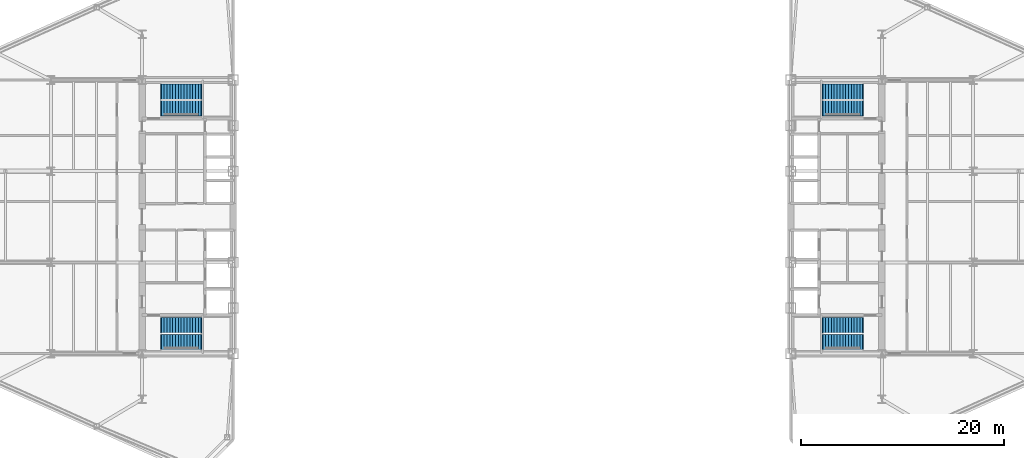
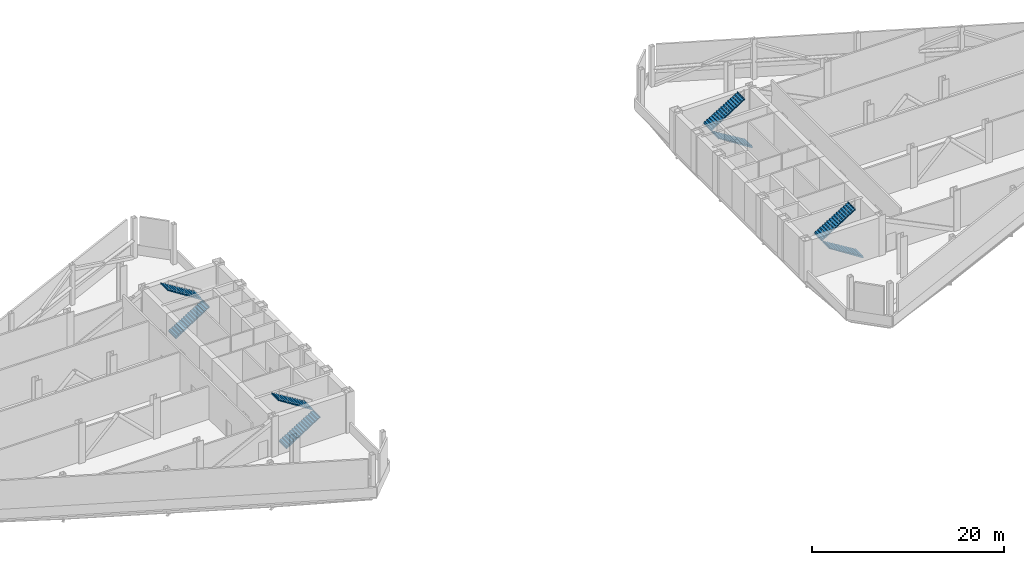
# One storey, part 10 of 11: 8 stair flights, 4 elements without a shape of their own.
"""IFC4 building model written with IfcOpenShell, lengths in metres."""

from ifc_helpers import new_model, si_unit, direction, frame, origin, place, context, subcontext, project, spatial, polyline, outline, extrude, material, type_object, element, aggregate, save


model = new_model("IFC4")

# Units and contexts
model_context = context("Model", 3, precision=1e-05, world=origin(), true_north=direction((0.0, 1.0)))
body_context = subcontext(model_context, "Body", "Model", "MODEL_VIEW")
ifc_project = project(units=[si_unit("LENGTHUNIT", "METRE"), si_unit("AREAUNIT", "SQUARE_METRE"), si_unit("VOLUMEUNIT", "CUBIC_METRE"), si_unit("PLANEANGLEUNIT", "RADIAN"), si_unit("MASSUNIT", "GRAM", prefix="KILO")], contexts=[model_context])

# Site, building, storey
site_placement = place(None, origin())
site = spatial("IfcSite", under=ifc_project, at=site_placement, CompositionType="ELEMENT")
building_placement = place(site_placement, origin())
building = spatial("IfcBuilding", under=site, at=building_placement, Name="Seokmaru Belvedere", CompositionType="ELEMENT")
storey_placement = place(building_placement, frame((0.0, 0.0, 87.300048828125)))
storey = spatial("IfcBuildingStorey", under=building, at=storey_placement, Name="L23", CompositionType="ELEMENT", Elevation=87.300048828125)

# Stair, stair flights
ifc_material = material(Name="Concrete C40 (40 MPa)", Category="concrete")
stair_type = type_object("IfcStairType", Name="Refuge Storey Core Dog-Leg Stair 5100", PredefinedType="TWO_STRAIGHT_RUN_STAIR", material=ifc_material)
stair_1_placement = place(storey_placement, origin())
stair_1 = element("IfcStair", 1, at=stair_1_placement, inside=storey, type_object=stair_type, Name="L23 Special Escape Stair ST-W1", PredefinedType="TWO_STRAIGHT_RUN_STAIR")
stair_flight_type = type_object("IfcStairFlightType", Name="Reinforced Concrete Stair Flight 1500", PredefinedType="STRAIGHT", material=ifc_material)
stair_flight_1_placement = place(storey_placement, frame((-34.60009765625, -12.35009765625, 0.0), z_axis=(0.0, 0.0, 1.0), x_axis=(1.0, 0.0, 0.0)))
stair_flight_1 = element("IfcStairFlight", 2, at=stair_flight_1_placement, type_object=stair_flight_type, Name="ST-W1 flight 1", NumberOfRisers=15, NumberOfTreads=14, PredefinedType="STRAIGHT", RiserHeight=0.17, TreadLength=0.28, context=body_context, shape_type="SweptSolid", body=[
    extrude(outline(polyline([(-0.080078125, 0.0), (0.0, 0.169921875), (0.280029296875, 0.169921875), (0.280029296875, 0.340087890625), (0.56005859375, 0.340087890625), (0.56005859375, 0.510009765625), (0.840087890625, 0.510009765625), (0.840087890625, 0.679931640625), (1.1201171875, 0.679931640625), (1.1201171875, 0.85009765625), (1.39990234375, 0.85009765625), (1.39990234375, 1.02001953125), (1.679931640625, 1.02001953125), (1.679931640625, 1.18994140625), (1.9599609375, 1.18994140625), (1.9599609375, 1.360107421875), (2.239990234375, 1.360107421875), (2.239990234375, 1.530029296875), (2.52001953125, 1.530029296875), (2.52001953125, 1.699951171875), (2.800048828125, 1.699951171875), (2.800048828125, 1.8701171875), (3.080078125, 1.8701171875), (3.080078125, 2.0400390625), (3.360107421875, 2.0400390625), (3.360107421875, 2.2099609375), (3.639892578125, 2.2099609375), (3.639892578125, 2.3798828125), (3.919921875, 2.3798828125), (3.919921875, 2.550048828125), (4.0, 2.550048828125), (4.0, 2.360107421875), (3.919921875, 2.360107421875), (0.0, -0.159912109375), (-0.080078125, -0.159912109375), (-0.080078125, 0.0)])), frame((0.0, 0.75, 0.0), z_axis=(0.0, -1.0, 0.0), x_axis=(1.0, 0.0, 0.0)), (0.0, 0.0, 1.0), 1.5),
])
stair_flight_2_placement = place(storey_placement, frame((-30.679931640625, -10.7099609375, 2.550048828125), z_axis=(0.0, 0.0, 1.0), x_axis=(-1.0, 0.0, 0.0)))
stair_flight_2 = element("IfcStairFlight", 3, at=stair_flight_2_placement, type_object=stair_flight_type, Name="ST-W1 flight 2", NumberOfRisers=15, NumberOfTreads=14, PredefinedType="STRAIGHT", RiserHeight=0.17, TreadLength=0.28, context=body_context, shape_type="SweptSolid", body=[
    extrude(outline(polyline([(-0.080078125, 0.0), (0.0, 0.169921875), (0.280029296875, 0.169921875), (0.280029296875, 0.340087890625), (0.56005859375, 0.340087890625), (0.56005859375, 0.510009765625), (0.840087890625, 0.510009765625), (0.840087890625, 0.679931640625), (1.1201171875, 0.679931640625), (1.1201171875, 0.85009765625), (1.39990234375, 0.85009765625), (1.39990234375, 1.02001953125), (1.679931640625, 1.02001953125), (1.679931640625, 1.18994140625), (1.9599609375, 1.18994140625), (1.9599609375, 1.360107421875), (2.239990234375, 1.360107421875), (2.239990234375, 1.530029296875), (2.52001953125, 1.530029296875), (2.52001953125, 1.699951171875), (2.800048828125, 1.699951171875), (2.800048828125, 1.8701171875), (3.080078125, 1.8701171875), (3.080078125, 2.0400390625), (3.360107421875, 2.0400390625), (3.360107421875, 2.2099609375), (3.639892578125, 2.2099609375), (3.639892578125, 2.3798828125), (3.919921875, 2.3798828125), (3.919921875, 2.550048828125), (4.0, 2.550048828125), (4.0, 2.360107421875), (3.919921875, 2.360107421875), (0.0, -0.159912109375), (-0.080078125, -0.159912109375), (-0.080078125, 0.0)])), frame((0.0, 0.75, 0.0), z_axis=(0.0, -1.0, 0.0), x_axis=(1.0, 0.0, 0.0)), (0.0, 0.0, 1.0), 1.5),
])
aggregate(stair_1, [stair_flight_1, stair_flight_2])

stair_2_placement = place(storey_placement, origin())
stair_2 = element("IfcStair", 4, at=stair_2_placement, inside=storey, type_object=stair_type, Name="L23 Special Escape Stair ST-W2", PredefinedType="TWO_STRAIGHT_RUN_STAIR")
stair_flight_3_placement = place(storey_placement, frame((-34.60009765625, 10.7099609375, 0.0), z_axis=(0.0, 0.0, 1.0), x_axis=(1.0, 0.0, 0.0)))
stair_flight_3 = element("IfcStairFlight", 5, at=stair_flight_3_placement, type_object=stair_flight_type, Name="ST-W2 flight 1", NumberOfRisers=15, NumberOfTreads=14, PredefinedType="STRAIGHT", RiserHeight=0.17, TreadLength=0.28, context=body_context, shape_type="SweptSolid", body=[
    extrude(outline(polyline([(-0.080078125, 0.0), (0.0, 0.169921875), (0.280029296875, 0.169921875), (0.280029296875, 0.340087890625), (0.56005859375, 0.340087890625), (0.56005859375, 0.510009765625), (0.840087890625, 0.510009765625), (0.840087890625, 0.679931640625), (1.1201171875, 0.679931640625), (1.1201171875, 0.85009765625), (1.39990234375, 0.85009765625), (1.39990234375, 1.02001953125), (1.679931640625, 1.02001953125), (1.679931640625, 1.18994140625), (1.9599609375, 1.18994140625), (1.9599609375, 1.360107421875), (2.239990234375, 1.360107421875), (2.239990234375, 1.530029296875), (2.52001953125, 1.530029296875), (2.52001953125, 1.699951171875), (2.800048828125, 1.699951171875), (2.800048828125, 1.8701171875), (3.080078125, 1.8701171875), (3.080078125, 2.0400390625), (3.360107421875, 2.0400390625), (3.360107421875, 2.2099609375), (3.639892578125, 2.2099609375), (3.639892578125, 2.3798828125), (3.919921875, 2.3798828125), (3.919921875, 2.550048828125), (4.0, 2.550048828125), (4.0, 2.360107421875), (3.919921875, 2.360107421875), (0.0, -0.159912109375), (-0.080078125, -0.159912109375), (-0.080078125, 0.0)])), frame((0.0, 0.75, 0.0), z_axis=(0.0, -1.0, 0.0), x_axis=(1.0, 0.0, 0.0)), (0.0, 0.0, 1.0), 1.5),
])
stair_flight_4_placement = place(storey_placement, frame((-30.679931640625, 12.35009765625, 2.550048828125), z_axis=(0.0, 0.0, 1.0), x_axis=(-1.0, 0.0, 0.0)))
stair_flight_4 = element("IfcStairFlight", 6, at=stair_flight_4_placement, type_object=stair_flight_type, Name="ST-W2 flight 2", NumberOfRisers=15, NumberOfTreads=14, PredefinedType="STRAIGHT", RiserHeight=0.17, TreadLength=0.28, context=body_context, shape_type="SweptSolid", body=[
    extrude(outline(polyline([(-0.080078125, 0.0), (0.0, 0.169921875), (0.280029296875, 0.169921875), (0.280029296875, 0.340087890625), (0.56005859375, 0.340087890625), (0.56005859375, 0.510009765625), (0.840087890625, 0.510009765625), (0.840087890625, 0.679931640625), (1.1201171875, 0.679931640625), (1.1201171875, 0.85009765625), (1.39990234375, 0.85009765625), (1.39990234375, 1.02001953125), (1.679931640625, 1.02001953125), (1.679931640625, 1.18994140625), (1.9599609375, 1.18994140625), (1.9599609375, 1.360107421875), (2.239990234375, 1.360107421875), (2.239990234375, 1.530029296875), (2.52001953125, 1.530029296875), (2.52001953125, 1.699951171875), (2.800048828125, 1.699951171875), (2.800048828125, 1.8701171875), (3.080078125, 1.8701171875), (3.080078125, 2.0400390625), (3.360107421875, 2.0400390625), (3.360107421875, 2.2099609375), (3.639892578125, 2.2099609375), (3.639892578125, 2.3798828125), (3.919921875, 2.3798828125), (3.919921875, 2.550048828125), (4.0, 2.550048828125), (4.0, 2.360107421875), (3.919921875, 2.360107421875), (0.0, -0.159912109375), (-0.080078125, -0.159912109375), (-0.080078125, 0.0)])), frame((0.0, 0.75, 0.0), z_axis=(0.0, -1.0, 0.0), x_axis=(1.0, 0.0, 0.0)), (0.0, 0.0, 1.0), 1.5),
])
aggregate(stair_2, [stair_flight_3, stair_flight_4])

stair_3_placement = place(storey_placement, origin())
stair_3 = element("IfcStair", 7, at=stair_3_placement, inside=storey, type_object=stair_type, Name="L23 Special Escape Stair ST-E1", PredefinedType="TWO_STRAIGHT_RUN_STAIR")
stair_flight_5_placement = place(storey_placement, frame((34.60009765625, -12.35009765625, 0.0), z_axis=(0.0, 0.0, 1.0), x_axis=(-1.0, 0.0, 0.0)))
stair_flight_5 = element("IfcStairFlight", 8, at=stair_flight_5_placement, type_object=stair_flight_type, Name="ST-E1 flight 1", NumberOfRisers=15, NumberOfTreads=14, PredefinedType="STRAIGHT", RiserHeight=0.17, TreadLength=0.28, context=body_context, shape_type="SweptSolid", body=[
    extrude(outline(polyline([(-0.080078125, 0.0), (0.0, 0.169921875), (0.280029296875, 0.169921875), (0.280029296875, 0.340087890625), (0.56005859375, 0.340087890625), (0.56005859375, 0.510009765625), (0.840087890625, 0.510009765625), (0.840087890625, 0.679931640625), (1.1201171875, 0.679931640625), (1.1201171875, 0.85009765625), (1.39990234375, 0.85009765625), (1.39990234375, 1.02001953125), (1.679931640625, 1.02001953125), (1.679931640625, 1.18994140625), (1.9599609375, 1.18994140625), (1.9599609375, 1.360107421875), (2.239990234375, 1.360107421875), (2.239990234375, 1.530029296875), (2.52001953125, 1.530029296875), (2.52001953125, 1.699951171875), (2.800048828125, 1.699951171875), (2.800048828125, 1.8701171875), (3.080078125, 1.8701171875), (3.080078125, 2.0400390625), (3.360107421875, 2.0400390625), (3.360107421875, 2.2099609375), (3.639892578125, 2.2099609375), (3.639892578125, 2.3798828125), (3.919921875, 2.3798828125), (3.919921875, 2.550048828125), (4.0, 2.550048828125), (4.0, 2.360107421875), (3.919921875, 2.360107421875), (0.0, -0.159912109375), (-0.080078125, -0.159912109375), (-0.080078125, 0.0)])), frame((0.0, 0.75, 0.0), z_axis=(0.0, -1.0, 0.0), x_axis=(1.0, 0.0, 0.0)), (0.0, 0.0, 1.0), 1.5),
])
stair_flight_6_placement = place(storey_placement, frame((30.679931640625, -10.7099609375, 2.550048828125), z_axis=(0.0, 0.0, 1.0), x_axis=(1.0, 0.0, 0.0)))
stair_flight_6 = element("IfcStairFlight", 9, at=stair_flight_6_placement, type_object=stair_flight_type, Name="ST-E1 flight 2", NumberOfRisers=15, NumberOfTreads=14, PredefinedType="STRAIGHT", RiserHeight=0.17, TreadLength=0.28, context=body_context, shape_type="SweptSolid", body=[
    extrude(outline(polyline([(-0.080078125, 0.0), (0.0, 0.169921875), (0.280029296875, 0.169921875), (0.280029296875, 0.340087890625), (0.56005859375, 0.340087890625), (0.56005859375, 0.510009765625), (0.840087890625, 0.510009765625), (0.840087890625, 0.679931640625), (1.1201171875, 0.679931640625), (1.1201171875, 0.85009765625), (1.39990234375, 0.85009765625), (1.39990234375, 1.02001953125), (1.679931640625, 1.02001953125), (1.679931640625, 1.18994140625), (1.9599609375, 1.18994140625), (1.9599609375, 1.360107421875), (2.239990234375, 1.360107421875), (2.239990234375, 1.530029296875), (2.52001953125, 1.530029296875), (2.52001953125, 1.699951171875), (2.800048828125, 1.699951171875), (2.800048828125, 1.8701171875), (3.080078125, 1.8701171875), (3.080078125, 2.0400390625), (3.360107421875, 2.0400390625), (3.360107421875, 2.2099609375), (3.639892578125, 2.2099609375), (3.639892578125, 2.3798828125), (3.919921875, 2.3798828125), (3.919921875, 2.550048828125), (4.0, 2.550048828125), (4.0, 2.360107421875), (3.919921875, 2.360107421875), (0.0, -0.159912109375), (-0.080078125, -0.159912109375), (-0.080078125, 0.0)])), frame((0.0, 0.75, 0.0), z_axis=(0.0, -1.0, 0.0), x_axis=(1.0, 0.0, 0.0)), (0.0, 0.0, 1.0), 1.5),
])
aggregate(stair_3, [stair_flight_5, stair_flight_6])

stair_4_placement = place(storey_placement, origin())
stair_4 = element("IfcStair", 10, at=stair_4_placement, inside=storey, type_object=stair_type, Name="L23 Special Escape Stair ST-E2", PredefinedType="TWO_STRAIGHT_RUN_STAIR")
stair_flight_7_placement = place(storey_placement, frame((34.60009765625, 10.7099609375, 0.0), z_axis=(0.0, 0.0, 1.0), x_axis=(-1.0, 0.0, 0.0)))
stair_flight_7 = element("IfcStairFlight", 11, at=stair_flight_7_placement, type_object=stair_flight_type, Name="ST-E2 flight 1", NumberOfRisers=15, NumberOfTreads=14, PredefinedType="STRAIGHT", RiserHeight=0.17, TreadLength=0.28, context=body_context, shape_type="SweptSolid", body=[
    extrude(outline(polyline([(-0.080078125, 0.0), (0.0, 0.169921875), (0.280029296875, 0.169921875), (0.280029296875, 0.340087890625), (0.56005859375, 0.340087890625), (0.56005859375, 0.510009765625), (0.840087890625, 0.510009765625), (0.840087890625, 0.679931640625), (1.1201171875, 0.679931640625), (1.1201171875, 0.85009765625), (1.39990234375, 0.85009765625), (1.39990234375, 1.02001953125), (1.679931640625, 1.02001953125), (1.679931640625, 1.18994140625), (1.9599609375, 1.18994140625), (1.9599609375, 1.360107421875), (2.239990234375, 1.360107421875), (2.239990234375, 1.530029296875), (2.52001953125, 1.530029296875), (2.52001953125, 1.699951171875), (2.800048828125, 1.699951171875), (2.800048828125, 1.8701171875), (3.080078125, 1.8701171875), (3.080078125, 2.0400390625), (3.360107421875, 2.0400390625), (3.360107421875, 2.2099609375), (3.639892578125, 2.2099609375), (3.639892578125, 2.3798828125), (3.919921875, 2.3798828125), (3.919921875, 2.550048828125), (4.0, 2.550048828125), (4.0, 2.360107421875), (3.919921875, 2.360107421875), (0.0, -0.159912109375), (-0.080078125, -0.159912109375), (-0.080078125, 0.0)])), frame((0.0, 0.75, 0.0), z_axis=(0.0, -1.0, 0.0), x_axis=(1.0, 0.0, 0.0)), (0.0, 0.0, 1.0), 1.5),
])
stair_flight_8_placement = place(storey_placement, frame((30.679931640625, 12.35009765625, 2.550048828125), z_axis=(0.0, 0.0, 1.0), x_axis=(1.0, 0.0, 0.0)))
stair_flight_8 = element("IfcStairFlight", 12, at=stair_flight_8_placement, type_object=stair_flight_type, Name="ST-E2 flight 2", NumberOfRisers=15, NumberOfTreads=14, PredefinedType="STRAIGHT", RiserHeight=0.17, TreadLength=0.28, context=body_context, shape_type="SweptSolid", body=[
    extrude(outline(polyline([(-0.080078125, 0.0), (0.0, 0.169921875), (0.280029296875, 0.169921875), (0.280029296875, 0.340087890625), (0.56005859375, 0.340087890625), (0.56005859375, 0.510009765625), (0.840087890625, 0.510009765625), (0.840087890625, 0.679931640625), (1.1201171875, 0.679931640625), (1.1201171875, 0.85009765625), (1.39990234375, 0.85009765625), (1.39990234375, 1.02001953125), (1.679931640625, 1.02001953125), (1.679931640625, 1.18994140625), (1.9599609375, 1.18994140625), (1.9599609375, 1.360107421875), (2.239990234375, 1.360107421875), (2.239990234375, 1.530029296875), (2.52001953125, 1.530029296875), (2.52001953125, 1.699951171875), (2.800048828125, 1.699951171875), (2.800048828125, 1.8701171875), (3.080078125, 1.8701171875), (3.080078125, 2.0400390625), (3.360107421875, 2.0400390625), (3.360107421875, 2.2099609375), (3.639892578125, 2.2099609375), (3.639892578125, 2.3798828125), (3.919921875, 2.3798828125), (3.919921875, 2.550048828125), (4.0, 2.550048828125), (4.0, 2.360107421875), (3.919921875, 2.360107421875), (0.0, -0.159912109375), (-0.080078125, -0.159912109375), (-0.080078125, 0.0)])), frame((0.0, 0.75, 0.0), z_axis=(0.0, -1.0, 0.0), x_axis=(1.0, 0.0, 0.0)), (0.0, 0.0, 1.0), 1.5),
])
aggregate(stair_4, [stair_flight_7, stair_flight_8])

save(model, "model.ifc")
